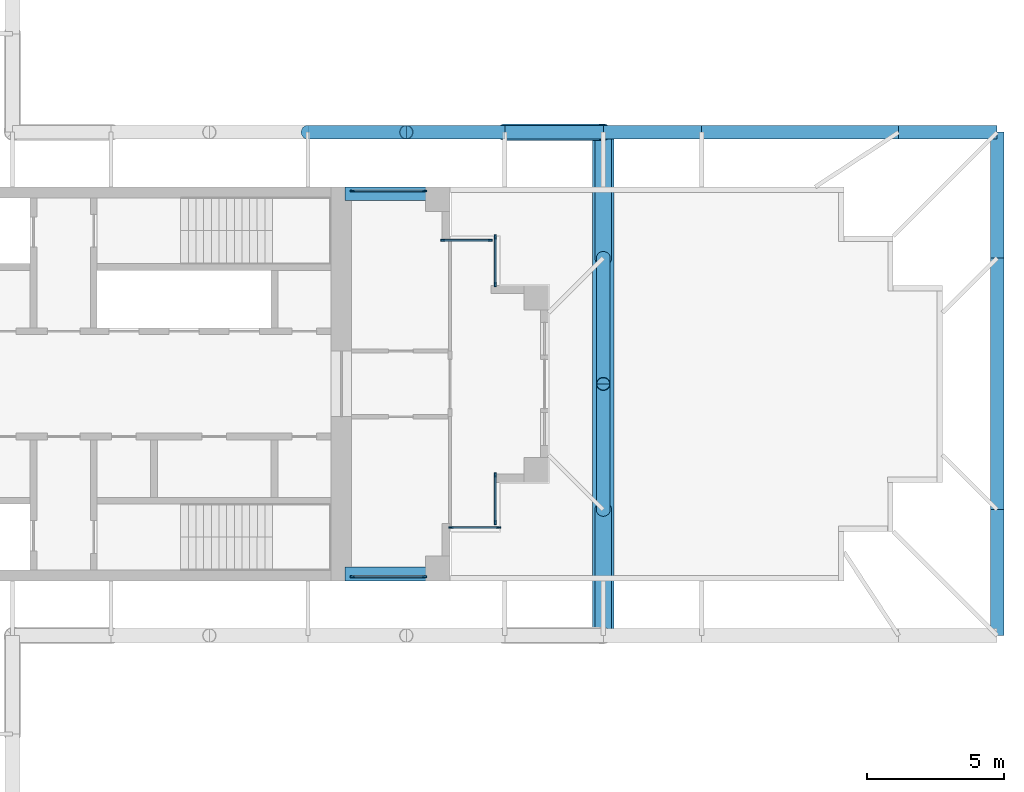
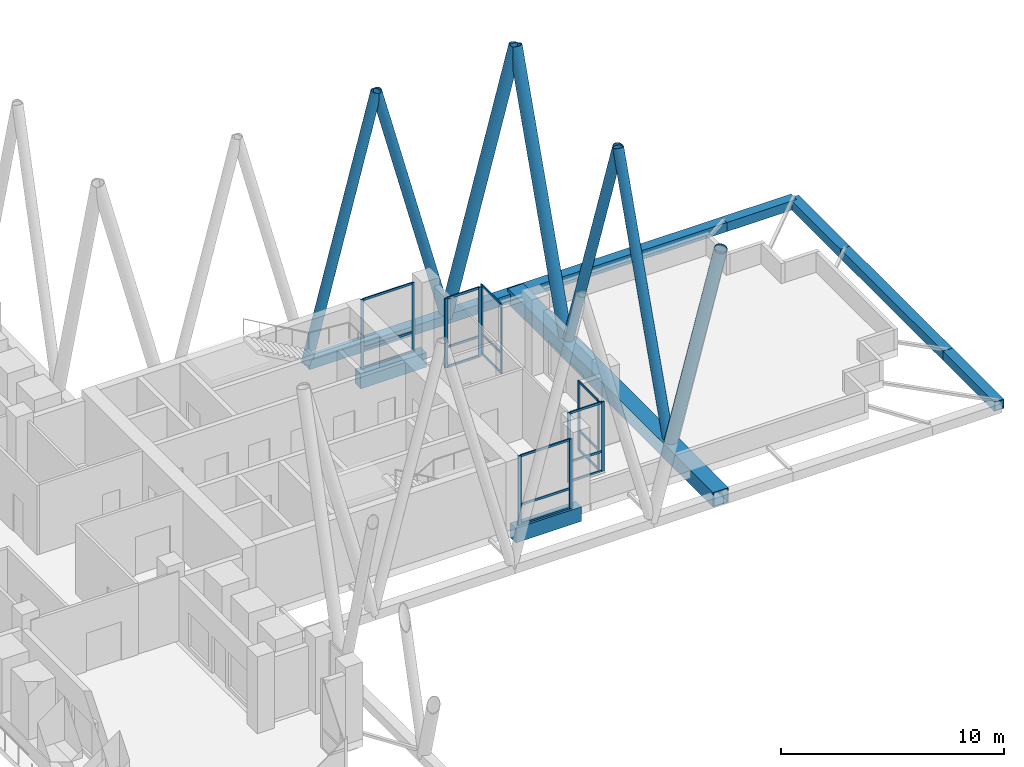
# One storey, part 8 of 19: 46 members, 2 beams, 6 elements without a shape of their own.
"""IFC4 building model written with IfcOpenShell, lengths in metres."""

from ifc_helpers import new_model, si_unit, direction, frame, origin, origin_2d, place, context, subcontext, project, spatial, rectangle, hollow_rectangle, hollow_circle, extrude, material, material_profile, profile_set, type_object, element, aggregate, save


model = new_model("IFC4")

# Units and contexts
model_context = context("Model", 3, precision=1e-05, world=origin(), true_north=direction((0.0, 1.0)))
body_context = subcontext(model_context, "Body", "Model", "MODEL_VIEW")
ifc_project = project(units=[si_unit("LENGTHUNIT", "METRE"), si_unit("AREAUNIT", "SQUARE_METRE"), si_unit("VOLUMEUNIT", "CUBIC_METRE"), si_unit("PLANEANGLEUNIT", "RADIAN"), si_unit("MASSUNIT", "GRAM", prefix="KILO")], contexts=[model_context])

# Site, building, storey
site_placement = place(None, origin())
site = spatial("IfcSite", under=ifc_project, at=site_placement, CompositionType="ELEMENT")
building_placement = place(site_placement, origin())
building = spatial("IfcBuilding", under=site, at=building_placement, Name="Fustian Cross Tower", CompositionType="ELEMENT")
storey_placement = place(building_placement, frame((0.0, 0.0, 166.5)))
storey = spatial("IfcBuildingStorey", under=building, at=storey_placement, Name="L52", CompositionType="ELEMENT", Elevation=166.5)

# Curtain wall, members
ifc_material_1 = material(Name="Dark anodised aluminium and double glazing", Category="aluminium")
curtain_wall_type = type_object("IfcCurtainWallType", Name="CW1 LOUNGE CURTAIN WALL", PredefinedType="NOTDEFINED", material=ifc_material_1)
curtain_wall_1_placement = place(storey_placement, origin())
curtain_wall_1 = element("IfcCurtainWall", 1, at=curtain_wall_1_placement, inside=storey, type_object=curtain_wall_type, Name="Curtain wall", PredefinedType="NOTDEFINED")
ifc_material_2 = material(Name="Aluminium alloy 6063", Category="aluminium")
ifc_material_profile_1 = material_profile(ifc_material_2, rectangle(XDim=0.06005859375, YDim=0.159912109375, at=origin_2d()), Name="CW1 MULLION 60X160")
ifc_profile_set_1 = profile_set([ifc_material_profile_1], Name="Aluminium alloy 6063")
member_type_1 = type_object("IfcMemberType", Name="CW1 MULLION 60X160", PredefinedType="MULLION", material=ifc_profile_set_1)
member_1_placement = place(storey_placement, frame((21.6298828125, -7.050048828125, 0.0), z_axis=(0.0, 0.0, 1.0), x_axis=(0.0, 1.0, 0.0)))
member_1 = element("IfcMember", 2, at=member_1_placement, type_object=member_type_1, Name="CW1 mullion 1", PredefinedType="MULLION", context=body_context, shape_type="SweptSolid", body=[
    extrude(rectangle(XDim=0.06005859375, YDim=0.159912109375, at=origin_2d()), origin(), (0.0, 0.0, 1.0), 3.800048828125),
])
member_2_placement = place(storey_placement, frame((24.27001953125, -7.050048828125, 0.0), z_axis=(0.0, 0.0, 1.0), x_axis=(0.0, 1.0, 0.0)))
member_2 = element("IfcMember", 3, at=member_2_placement, type_object=member_type_1, Name="CW1 mullion 2", PredefinedType="MULLION", context=body_context, shape_type="SweptSolid", body=[
    extrude(rectangle(XDim=0.06005859375, YDim=0.159912109375, at=origin_2d()), origin(), (0.0, 0.0, 1.0), 3.800048828125),
])

curtain_wall_2_placement = place(storey_placement, origin())
curtain_wall_2 = element("IfcCurtainWall", 4, at=curtain_wall_2_placement, inside=storey, type_object=curtain_wall_type, Name="Curtain wall", PredefinedType="NOTDEFINED")
member_3_placement = place(storey_placement, frame((25.22998046875, -5.25, 0.0), z_axis=(0.0, 0.0, 1.0), x_axis=(0.0, 1.0, 0.0)))
member_3 = element("IfcMember", 5, at=member_3_placement, type_object=member_type_1, Name="CW1 mullion 1", PredefinedType="MULLION", context=body_context, shape_type="SweptSolid", body=[
    extrude(rectangle(XDim=0.06005859375, YDim=0.159912109375, at=origin_2d()), origin(), (0.0, 0.0, 1.0), 3.800048828125),
])
member_4_placement = place(storey_placement, frame((26.969970703125, -5.25, 0.0), z_axis=(0.0, 0.0, 1.0), x_axis=(0.0, 1.0, 0.0)))
member_4 = element("IfcMember", 6, at=member_4_placement, type_object=member_type_1, Name="CW1 mullion 2", PredefinedType="MULLION", context=body_context, shape_type="SweptSolid", body=[
    extrude(rectangle(XDim=0.06005859375, YDim=0.159912109375, at=origin_2d()), origin(), (0.0, 0.0, 1.0), 3.800048828125),
])

curtain_wall_3_placement = place(storey_placement, origin())
curtain_wall_3 = element("IfcCurtainWall", 7, at=curtain_wall_3_placement, inside=storey, type_object=curtain_wall_type, Name="Curtain wall", PredefinedType="NOTDEFINED")
member_5_placement = place(storey_placement, frame((26.85009765625, -5.070068359375, 0.0), z_axis=(0.0, 0.0, 1.0), x_axis=(-1.0, 0.0, 0.0)))
member_5 = element("IfcMember", 8, at=member_5_placement, type_object=member_type_1, Name="CW1 mullion 1", PredefinedType="MULLION", context=body_context, shape_type="SweptSolid", body=[
    extrude(rectangle(XDim=0.06005859375, YDim=0.159912109375, at=origin_2d()), origin(), (0.0, 0.0, 1.0), 3.800048828125),
])
member_6_placement = place(storey_placement, frame((26.85009765625, -3.330078125, 0.0), z_axis=(0.0, 0.0, 1.0), x_axis=(-1.0, 0.0, 0.0)))
member_6 = element("IfcMember", 9, at=member_6_placement, type_object=member_type_1, Name="CW1 mullion 2", PredefinedType="MULLION", context=body_context, shape_type="SweptSolid", body=[
    extrude(rectangle(XDim=0.06005859375, YDim=0.159912109375, at=origin_2d()), origin(), (0.0, 0.0, 1.0), 3.800048828125),
])

curtain_wall_4_placement = place(storey_placement, origin())
curtain_wall_4 = element("IfcCurtainWall", 10, at=curtain_wall_4_placement, inside=storey, type_object=curtain_wall_type, Name="Curtain wall", PredefinedType="NOTDEFINED")
member_7_placement = place(storey_placement, frame((26.85009765625, 3.6298828125, 0.0), z_axis=(0.0, 0.0, 1.0), x_axis=(-1.0, 0.0, 0.0)))
member_7 = element("IfcMember", 11, at=member_7_placement, type_object=member_type_1, Name="CW1 mullion 1", PredefinedType="MULLION", context=body_context, shape_type="SweptSolid", body=[
    extrude(rectangle(XDim=0.06005859375, YDim=0.159912109375, at=origin_2d()), origin(), (0.0, 0.0, 1.0), 3.800048828125),
])
member_8_placement = place(storey_placement, frame((26.85009765625, 5.3701171875, 0.0), z_axis=(0.0, 0.0, 1.0), x_axis=(-1.0, 0.0, 0.0)))
member_8 = element("IfcMember", 12, at=member_8_placement, type_object=member_type_1, Name="CW1 mullion 2", PredefinedType="MULLION", context=body_context, shape_type="SweptSolid", body=[
    extrude(rectangle(XDim=0.06005859375, YDim=0.159912109375, at=origin_2d()), origin(), (0.0, 0.0, 1.0), 3.800048828125),
])

curtain_wall_5_placement = place(storey_placement, origin())
curtain_wall_5 = element("IfcCurtainWall", 13, at=curtain_wall_5_placement, inside=storey, type_object=curtain_wall_type, Name="Curtain wall", PredefinedType="NOTDEFINED")
member_9_placement = place(storey_placement, frame((26.669921875, 5.25, 0.0), z_axis=(0.0, 0.0, 1.0), x_axis=(0.0, -1.0, 0.0)))
member_9 = element("IfcMember", 14, at=member_9_placement, type_object=member_type_1, Name="CW1 mullion 1", PredefinedType="MULLION", context=body_context, shape_type="SweptSolid", body=[
    extrude(rectangle(XDim=0.06005859375, YDim=0.159912109375, at=origin_2d()), origin(), (0.0, 0.0, 1.0), 3.800048828125),
])
member_10_placement = place(storey_placement, frame((24.929931640625, 5.25, 0.0), z_axis=(0.0, 0.0, 1.0), x_axis=(0.0, -1.0, 0.0)))
member_10 = element("IfcMember", 15, at=member_10_placement, type_object=member_type_1, Name="CW1 mullion 2", PredefinedType="MULLION", context=body_context, shape_type="SweptSolid", body=[
    extrude(rectangle(XDim=0.06005859375, YDim=0.159912109375, at=origin_2d()), origin(), (0.0, 0.0, 1.0), 3.800048828125),
])

curtain_wall_6_placement = place(storey_placement, origin())
curtain_wall_6 = element("IfcCurtainWall", 16, at=curtain_wall_6_placement, inside=storey, type_object=curtain_wall_type, Name="Curtain wall", PredefinedType="NOTDEFINED")
member_11_placement = place(storey_placement, frame((24.27001953125, 7.050048828125, 0.0), z_axis=(0.0, 0.0, 1.0), x_axis=(0.0, -1.0, 0.0)))
member_11 = element("IfcMember", 17, at=member_11_placement, type_object=member_type_1, Name="CW1 mullion 1", PredefinedType="MULLION", context=body_context, shape_type="SweptSolid", body=[
    extrude(rectangle(XDim=0.06005859375, YDim=0.159912109375, at=origin_2d()), origin(), (0.0, 0.0, 1.0), 3.800048828125),
])
member_12_placement = place(storey_placement, frame((21.6298828125, 7.050048828125, 0.0), z_axis=(0.0, 0.0, 1.0), x_axis=(0.0, -1.0, 0.0)))
member_12 = element("IfcMember", 18, at=member_12_placement, type_object=member_type_1, Name="CW1 mullion 2", PredefinedType="MULLION", context=body_context, shape_type="SweptSolid", body=[
    extrude(rectangle(XDim=0.06005859375, YDim=0.159912109375, at=origin_2d()), origin(), (0.0, 0.0, 1.0), 3.800048828125),
])

# Member
ifc_material_3 = material(Name="Aluminium alloy 6063", Category="aluminium")
ifc_material_profile_2 = material_profile(ifc_material_3, rectangle(XDim=0.06005859375, YDim=0.1201171875, at=origin_2d()), Name="CW1 TRANSOM 60X120")
ifc_profile_set_2 = profile_set([ifc_material_profile_2], Name="Aluminium alloy 6063")
member_type_2 = type_object("IfcMemberType", Name="CW1 TRANSOM 60X120", PredefinedType="USERDEFINED", material=ifc_profile_set_2)
member_13_placement = place(storey_placement, frame((21.659912109375, -7.050048828125, 0.030029296875), z_axis=(1.0, 0.0, 0.0), x_axis=(0.0, 1.0, 0.0)))
member_13 = element("IfcMember", 19, at=member_13_placement, type_object=member_type_2, Name="CW1 transom 1.1", ObjectType="TRANSOM", PredefinedType="USERDEFINED", context=body_context, shape_type="SweptSolid", body=[
    extrude(rectangle(XDim=0.06005859375, YDim=0.1201171875, at=origin_2d()), origin(), (0.0, 0.0, 1.0), 2.580078125),
])

member_14_placement = place(storey_placement, frame((21.659912109375, -7.050048828125, 1.10009765625), z_axis=(1.0, 0.0, 0.0), x_axis=(0.0, 1.0, 0.0)))
member_14 = element("IfcMember", 20, at=member_14_placement, type_object=member_type_2, Name="CW1 transom 1.2", ObjectType="TRANSOM", PredefinedType="USERDEFINED", context=body_context, shape_type="SweptSolid", body=[
    extrude(rectangle(XDim=0.06005859375, YDim=0.1201171875, at=origin_2d()), origin(), (0.0, 0.0, 1.0), 2.580078125),
])

member_15_placement = place(storey_placement, frame((21.659912109375, -7.050048828125, 3.77001953125), z_axis=(1.0, 0.0, 0.0), x_axis=(0.0, 1.0, 0.0)))
member_15 = element("IfcMember", 21, at=member_15_placement, type_object=member_type_2, Name="CW1 transom 1.3", ObjectType="TRANSOM", PredefinedType="USERDEFINED", context=body_context, shape_type="SweptSolid", body=[
    extrude(rectangle(XDim=0.06005859375, YDim=0.1201171875, at=origin_2d()), origin(), (0.0, 0.0, 1.0), 2.580078125),
])

aggregate(curtain_wall_1, [member_1, member_2, member_13, member_14, member_15])

member_16_placement = place(storey_placement, frame((25.260009765625, -5.25, 0.030029296875), z_axis=(1.0, 0.0, 0.0), x_axis=(0.0, 1.0, 0.0)))
member_16 = element("IfcMember", 22, at=member_16_placement, type_object=member_type_2, Name="CW1 transom 1.1", ObjectType="TRANSOM", PredefinedType="USERDEFINED", context=body_context, shape_type="SweptSolid", body=[
    extrude(rectangle(XDim=0.06005859375, YDim=0.1201171875, at=origin_2d()), origin(), (0.0, 0.0, 1.0), 1.679931640625),
])

member_17_placement = place(storey_placement, frame((25.260009765625, -5.25, 1.10009765625), z_axis=(1.0, 0.0, 0.0), x_axis=(0.0, 1.0, 0.0)))
member_17 = element("IfcMember", 23, at=member_17_placement, type_object=member_type_2, Name="CW1 transom 1.2", ObjectType="TRANSOM", PredefinedType="USERDEFINED", context=body_context, shape_type="SweptSolid", body=[
    extrude(rectangle(XDim=0.06005859375, YDim=0.1201171875, at=origin_2d()), origin(), (0.0, 0.0, 1.0), 1.679931640625),
])

member_18_placement = place(storey_placement, frame((25.260009765625, -5.25, 3.77001953125), z_axis=(1.0, 0.0, 0.0), x_axis=(0.0, 1.0, 0.0)))
member_18 = element("IfcMember", 24, at=member_18_placement, type_object=member_type_2, Name="CW1 transom 1.3", ObjectType="TRANSOM", PredefinedType="USERDEFINED", context=body_context, shape_type="SweptSolid", body=[
    extrude(rectangle(XDim=0.06005859375, YDim=0.1201171875, at=origin_2d()), origin(), (0.0, 0.0, 1.0), 1.679931640625),
])

aggregate(curtain_wall_2, [member_3, member_4, member_16, member_17, member_18])

member_19_placement = place(storey_placement, frame((26.85009765625, -5.0400390625, 0.030029296875), z_axis=(0.0, 1.0, 0.0), x_axis=(-1.0, 0.0, 0.0)))
member_19 = element("IfcMember", 25, at=member_19_placement, type_object=member_type_2, Name="CW1 transom 1.1", ObjectType="TRANSOM", PredefinedType="USERDEFINED", context=body_context, shape_type="SweptSolid", body=[
    extrude(rectangle(XDim=0.06005859375, YDim=0.1201171875, at=origin_2d()), origin(), (0.0, 0.0, 1.0), 1.679931640625),
])

member_20_placement = place(storey_placement, frame((26.85009765625, -5.0400390625, 1.10009765625), z_axis=(0.0, 1.0, 0.0), x_axis=(-1.0, 0.0, 0.0)))
member_20 = element("IfcMember", 26, at=member_20_placement, type_object=member_type_2, Name="CW1 transom 1.2", ObjectType="TRANSOM", PredefinedType="USERDEFINED", context=body_context, shape_type="SweptSolid", body=[
    extrude(rectangle(XDim=0.06005859375, YDim=0.1201171875, at=origin_2d()), origin(), (0.0, 0.0, 1.0), 1.679931640625),
])

member_21_placement = place(storey_placement, frame((26.85009765625, -5.0400390625, 3.77001953125), z_axis=(0.0, 1.0, 0.0), x_axis=(-1.0, 0.0, 0.0)))
member_21 = element("IfcMember", 27, at=member_21_placement, type_object=member_type_2, Name="CW1 transom 1.3", ObjectType="TRANSOM", PredefinedType="USERDEFINED", context=body_context, shape_type="SweptSolid", body=[
    extrude(rectangle(XDim=0.06005859375, YDim=0.1201171875, at=origin_2d()), origin(), (0.0, 0.0, 1.0), 1.679931640625),
])

aggregate(curtain_wall_3, [member_5, member_6, member_19, member_20, member_21])

member_22_placement = place(storey_placement, frame((26.85009765625, 3.659912109375, 0.030029296875), z_axis=(0.0, 1.0, 0.0), x_axis=(-1.0, 0.0, 0.0)))
member_22 = element("IfcMember", 28, at=member_22_placement, type_object=member_type_2, Name="CW1 transom 1.1", ObjectType="TRANSOM", PredefinedType="USERDEFINED", context=body_context, shape_type="SweptSolid", body=[
    extrude(rectangle(XDim=0.06005859375, YDim=0.1201171875, at=origin_2d()), origin(), (0.0, 0.0, 1.0), 1.68017578125),
])

member_23_placement = place(storey_placement, frame((26.85009765625, 3.659912109375, 1.10009765625), z_axis=(0.0, 1.0, 0.0), x_axis=(-1.0, 0.0, 0.0)))
member_23 = element("IfcMember", 29, at=member_23_placement, type_object=member_type_2, Name="CW1 transom 1.2", ObjectType="TRANSOM", PredefinedType="USERDEFINED", context=body_context, shape_type="SweptSolid", body=[
    extrude(rectangle(XDim=0.06005859375, YDim=0.1201171875, at=origin_2d()), origin(), (0.0, 0.0, 1.0), 1.68017578125),
])

member_24_placement = place(storey_placement, frame((26.85009765625, 3.659912109375, 3.77001953125), z_axis=(0.0, 1.0, 0.0), x_axis=(-1.0, 0.0, 0.0)))
member_24 = element("IfcMember", 30, at=member_24_placement, type_object=member_type_2, Name="CW1 transom 1.3", ObjectType="TRANSOM", PredefinedType="USERDEFINED", context=body_context, shape_type="SweptSolid", body=[
    extrude(rectangle(XDim=0.06005859375, YDim=0.1201171875, at=origin_2d()), origin(), (0.0, 0.0, 1.0), 1.68017578125),
])

aggregate(curtain_wall_4, [member_7, member_8, member_22, member_23, member_24])

member_25_placement = place(storey_placement, frame((26.639892578125, 5.25, 0.030029296875), z_axis=(-1.0, 0.0, 0.0), x_axis=(0.0, -1.0, 0.0)))
member_25 = element("IfcMember", 31, at=member_25_placement, type_object=member_type_2, Name="CW1 transom 1.1", ObjectType="TRANSOM", PredefinedType="USERDEFINED", context=body_context, shape_type="SweptSolid", body=[
    extrude(rectangle(XDim=0.06005859375, YDim=0.1201171875, at=origin_2d()), origin(), (0.0, 0.0, 1.0), 1.679931640625),
])

member_26_placement = place(storey_placement, frame((26.639892578125, 5.25, 1.10009765625), z_axis=(-1.0, 0.0, 0.0), x_axis=(0.0, -1.0, 0.0)))
member_26 = element("IfcMember", 32, at=member_26_placement, type_object=member_type_2, Name="CW1 transom 1.2", ObjectType="TRANSOM", PredefinedType="USERDEFINED", context=body_context, shape_type="SweptSolid", body=[
    extrude(rectangle(XDim=0.06005859375, YDim=0.1201171875, at=origin_2d()), origin(), (0.0, 0.0, 1.0), 1.679931640625),
])

member_27_placement = place(storey_placement, frame((26.639892578125, 5.25, 3.77001953125), z_axis=(-1.0, 0.0, 0.0), x_axis=(0.0, -1.0, 0.0)))
member_27 = element("IfcMember", 33, at=member_27_placement, type_object=member_type_2, Name="CW1 transom 1.3", ObjectType="TRANSOM", PredefinedType="USERDEFINED", context=body_context, shape_type="SweptSolid", body=[
    extrude(rectangle(XDim=0.06005859375, YDim=0.1201171875, at=origin_2d()), origin(), (0.0, 0.0, 1.0), 1.679931640625),
])

aggregate(curtain_wall_5, [member_9, member_10, member_25, member_26, member_27])

member_28_placement = place(storey_placement, frame((24.239990234375, 7.050048828125, 0.030029296875), z_axis=(-1.0, 0.0, 0.0), x_axis=(0.0, -1.0, 0.0)))
member_28 = element("IfcMember", 34, at=member_28_placement, type_object=member_type_2, Name="CW1 transom 1.1", ObjectType="TRANSOM", PredefinedType="USERDEFINED", context=body_context, shape_type="SweptSolid", body=[
    extrude(rectangle(XDim=0.06005859375, YDim=0.1201171875, at=origin_2d()), origin(), (0.0, 0.0, 1.0), 2.580078125),
])

member_29_placement = place(storey_placement, frame((24.239990234375, 7.050048828125, 1.10009765625), z_axis=(-1.0, 0.0, 0.0), x_axis=(0.0, -1.0, 0.0)))
member_29 = element("IfcMember", 35, at=member_29_placement, type_object=member_type_2, Name="CW1 transom 1.2", ObjectType="TRANSOM", PredefinedType="USERDEFINED", context=body_context, shape_type="SweptSolid", body=[
    extrude(rectangle(XDim=0.06005859375, YDim=0.1201171875, at=origin_2d()), origin(), (0.0, 0.0, 1.0), 2.580078125),
])

member_30_placement = place(storey_placement, frame((24.239990234375, 7.050048828125, 3.77001953125), z_axis=(-1.0, 0.0, 0.0), x_axis=(0.0, -1.0, 0.0)))
member_30 = element("IfcMember", 36, at=member_30_placement, type_object=member_type_2, Name="CW1 transom 1.3", ObjectType="TRANSOM", PredefinedType="USERDEFINED", context=body_context, shape_type="SweptSolid", body=[
    extrude(rectangle(XDim=0.06005859375, YDim=0.1201171875, at=origin_2d()), origin(), (0.0, 0.0, 1.0), 2.580078125),
])

aggregate(curtain_wall_6, [member_11, member_12, member_28, member_29, member_30])

# Members
ifc_material_4 = material(Name="Steel S355", Category="steel")
ifc_material_profile_3 = material_profile(ifc_material_4, hollow_circle(Radius=0.25390625, WallThickness=0.02001953125, at=origin_2d()), Name="CHS 508x20")
ifc_profile_set_3 = profile_set([ifc_material_profile_3], Name="Steel S355")
member_type_3 = type_object("IfcMemberType", Name="DIAGRID DIAGONAL CHS 508x20", PredefinedType="BRACE", material=ifc_profile_set_3)
for number, where, z_axis, x_axis, name in (
    (37, (30.800048828125, -4.60009765625, -0.39990234375), (0.0, 0.320413079221, 0.947277920498), (-1.0, 0.0, 0.0), "Diagrid diagonal E-end 02"),
    (38, (30.800048828125, 4.60009765625, -0.39990234375), (0.0, -0.320413079221, 0.947277920498), (1.0, 0.0, 0.0), "Diagrid diagonal E-end 03"),
):
    element("IfcMember", number, at=place(storey_placement, frame(where, z_axis=z_axis, x_axis=x_axis)), inside=storey, type_object=member_type_3, Name=name, PredefinedType="BRACE", context=body_context, shape_type="SweptSolid", body=[
        extrude(hollow_circle(Radius=0.25390625, WallThickness=0.02001953125, at=origin_2d()), origin(), (0.0, 0.0, 1.0), 14.356689453125),
    ])
member_31_placement = place(storey_placement, frame((27.199951171875, 9.199951171875, -0.39990234375), z_axis=(-0.255885405448, 0.0, 0.966707121769), x_axis=(0.0, -1.0, 0.0)))
element("IfcMember", 39, at=member_31_placement, inside=storey, type_object=member_type_3, Name="Diagrid diagonal E-N 02", PredefinedType="BRACE", context=body_context, shape_type="SweptSolid", body=[
    extrude(hollow_circle(Radius=0.25390625, WallThickness=0.02001953125, at=origin_2d()), origin(), (0.0, 0.0, 1.0), 14.068115234375),
])
member_32_placement = place(storey_placement, frame((20.0, 9.199951171875, -0.39990234375), z_axis=(0.255901623089, 0.0, 0.966702828847), x_axis=(0.0, 1.0, 0.0)))
element("IfcMember", 40, at=member_32_placement, inside=storey, type_object=member_type_3, Name="Diagrid diagonal E-N 03", PredefinedType="BRACE", context=body_context, shape_type="SweptSolid", body=[
    extrude(hollow_circle(Radius=0.25390625, WallThickness=0.02001953125, at=origin_2d()), origin(), (0.0, 0.0, 1.0), 14.068359375),
])
ifc_material_5 = material(Name="Steel S355", Category="steel")
ifc_material_profile_4 = material_profile(ifc_material_5, hollow_circle(Radius=0.3046875, WallThickness=0.02490234375, at=origin_2d()), Name="CHS 610x25")
ifc_profile_set_4 = profile_set([ifc_material_profile_4], Name="Steel S355")
member_type_4 = type_object("IfcMemberType", Name="DIAGRID DIAGONAL CHS 610x25", PredefinedType="BRACE", material=ifc_profile_set_4)
for number, where, z_axis, x_axis, name in (
    (41, (30.800048828125, -4.60009765625, -0.39990234375), (0.0, -0.320397819675, 0.947283081844), (1.0, 0.0, 0.0), "Diagrid diagonal E-end 01"),
    (42, (30.800048828125, 4.60009765625, -0.39990234375), (0.0, 0.320397819675, 0.947283081844), (-1.0, 0.0, 0.0), "Diagrid diagonal E-end 04"),
):
    element("IfcMember", number, at=place(storey_placement, frame(where, z_axis=z_axis, x_axis=x_axis)), inside=storey, type_object=member_type_4, Name=name, PredefinedType="BRACE", context=body_context, shape_type="SweptSolid", body=[
        extrude(hollow_circle(Radius=0.3046875, WallThickness=0.02490234375, at=origin_2d()), origin(), (0.0, 0.0, 1.0), 14.356689453125),
    ])
member_33_placement = place(storey_placement, frame((27.199951171875, 9.199951171875, -0.39990234375), z_axis=(0.255901623089, 0.0, 0.966702828847), x_axis=(0.0, 1.0, 0.0)))
element("IfcMember", 43, at=member_33_placement, inside=storey, type_object=member_type_4, Name="Diagrid diagonal E-N 01", PredefinedType="BRACE", context=body_context, shape_type="SweptSolid", body=[
    extrude(hollow_circle(Radius=0.3046875, WallThickness=0.02490234375, at=origin_2d()), origin(), (0.0, 0.0, 1.0), 14.068359375),
])
ifc_material_6 = material(Name="Steel S355", Category="steel")
ifc_material_profile_5 = material_profile(ifc_material_6, hollow_rectangle(XDim=0.5, YDim=0.5, WallThickness=0.02490234375, at=origin_2d()), Name="RHS 500x500x25")
ifc_profile_set_5 = profile_set([ifc_material_profile_5], Name="Steel S355")
member_type_5 = type_object("IfcMemberType", Name="DIAGRID RING RHS 500x500x25", PredefinedType="MEMBER", material=ifc_profile_set_5)
member_34_placement = place(storey_placement, frame((45.199951171875, -4.60009765625, -0.39990234375), z_axis=(0.0, 1.0, 0.0), x_axis=(-1.0, 0.0, 0.0)))
element("IfcMember", 44, at=member_34_placement, inside=storey, type_object=member_type_5, Name="Diagrid ring L52-53 L52-01", PredefinedType="MEMBER", context=body_context, shape_type="SweptSolid", body=[
    extrude(hollow_rectangle(XDim=0.5, YDim=0.5, WallThickness=0.02490234375, at=origin_2d()), origin(), (0.0, 0.0, 1.0), 9.2001953125),
])
member_35_placement = place(storey_placement, frame((45.199951171875, 4.60009765625, -0.39990234375), z_axis=(0.0, 1.0, 0.0), x_axis=(-1.0, 0.0, 0.0)))
element("IfcMember", 45, at=member_35_placement, inside=storey, type_object=member_type_5, Name="Diagrid ring L52-01 L52-03", PredefinedType="MEMBER", context=body_context, shape_type="SweptSolid", body=[
    extrude(hollow_rectangle(XDim=0.5, YDim=0.5, WallThickness=0.02490234375, at=origin_2d()), origin(), (0.0, 0.0, 1.0), 4.599853515625),
])
member_36_placement = place(storey_placement, frame((45.199951171875, 9.199951171875, -0.39990234375), z_axis=(-1.0, 0.0, 0.0), x_axis=(0.0, -1.0, 0.0)))
element("IfcMember", 46, at=member_36_placement, inside=storey, type_object=member_type_5, Name="Diagrid ring L52-03 L52-04", PredefinedType="MEMBER", context=body_context, shape_type="SweptSolid", body=[
    extrude(hollow_rectangle(XDim=0.5, YDim=0.5, WallThickness=0.02490234375, at=origin_2d()), origin(), (0.0, 0.0, 1.0), 3.599853515625),
])
member_37_placement = place(storey_placement, frame((41.60009765625, 9.199951171875, -0.39990234375), z_axis=(-1.0, 0.0, 0.0), x_axis=(0.0, -1.0, 0.0)))
element("IfcMember", 47, at=member_37_placement, inside=storey, type_object=member_type_5, Name="Diagrid ring L52-04 L52-05", PredefinedType="MEMBER", context=body_context, shape_type="SweptSolid", body=[
    extrude(hollow_rectangle(XDim=0.5, YDim=0.5, WallThickness=0.02490234375, at=origin_2d()), origin(), (0.0, 0.0, 1.0), 7.2001953125),
])
member_38_placement = place(storey_placement, frame((34.39990234375, 9.199951171875, -0.39990234375), z_axis=(-1.0, 0.0, 0.0), x_axis=(0.0, -1.0, 0.0)))
element("IfcMember", 48, at=member_38_placement, inside=storey, type_object=member_type_5, Name="Diagrid ring L52-05 L52-06", PredefinedType="MEMBER", context=body_context, shape_type="SweptSolid", body=[
    extrude(hollow_rectangle(XDim=0.5, YDim=0.5, WallThickness=0.02490234375, at=origin_2d()), origin(), (0.0, 0.0, 1.0), 3.599853515625),
])
member_39_placement = place(storey_placement, frame((30.800048828125, 9.199951171875, -0.39990234375), z_axis=(-1.0, 0.0, 0.0), x_axis=(0.0, -1.0, 0.0)))
element("IfcMember", 49, at=member_39_placement, inside=storey, type_object=member_type_5, Name="Diagrid ring L52-06 L52-07", PredefinedType="MEMBER", context=body_context, shape_type="SweptSolid", body=[
    extrude(hollow_rectangle(XDim=0.5, YDim=0.5, WallThickness=0.02490234375, at=origin_2d()), origin(), (0.0, 0.0, 1.0), 3.60009765625),
])
member_40_placement = place(storey_placement, frame((27.199951171875, 9.199951171875, -0.39990234375), z_axis=(-1.0, 0.0, 0.0), x_axis=(0.0, -1.0, 0.0)))
element("IfcMember", 50, at=member_40_placement, inside=storey, type_object=member_type_5, Name="Diagrid ring L52-07 L52-08", PredefinedType="MEMBER", context=body_context, shape_type="SweptSolid", body=[
    extrude(hollow_rectangle(XDim=0.5, YDim=0.5, WallThickness=0.02490234375, at=origin_2d()), origin(), (0.0, 0.0, 1.0), 7.199951171875),
])
member_41_placement = place(storey_placement, frame((45.199951171875, -9.199951171875, -0.39990234375), z_axis=(0.0, 1.0, 0.0), x_axis=(-1.0, 0.0, 0.0)))
element("IfcMember", 51, at=member_41_placement, inside=storey, type_object=member_type_5, Name="Diagrid ring L52-51 L52-53", PredefinedType="MEMBER", context=body_context, shape_type="SweptSolid", body=[
    extrude(hollow_rectangle(XDim=0.5, YDim=0.5, WallThickness=0.02490234375, at=origin_2d()), origin(), (0.0, 0.0, 1.0), 4.599853515625),
])
ifc_material_7 = material(Name="Steel S355", Category="steel")
ifc_material_profile_6 = material_profile(ifc_material_7, hollow_rectangle(XDim=0.800048828125, YDim=0.800048828125, WallThickness=0.0400390625, at=origin_2d()), Name="RHS 800x800x40")
ifc_profile_set_6 = profile_set([ifc_material_profile_6], Name="Steel S355")
member_type_6 = type_object("IfcMemberType", Name="DIAGRID RING RHS 800x800x40", PredefinedType="MEMBER", material=ifc_profile_set_6)
member_42_placement = place(storey_placement, frame((30.800048828125, -9.199951171875, -0.39990234375), z_axis=(0.0, 1.0, 0.0), x_axis=(-1.0, 0.0, 0.0)))
element("IfcMember", 52, at=member_42_placement, inside=storey, type_object=member_type_6, Name="Diagrid ring L52-48 L52-06", PredefinedType="MEMBER", context=body_context, shape_type="SweptSolid", body=[
    extrude(hollow_rectangle(XDim=0.800048828125, YDim=0.800048828125, WallThickness=0.0400390625, at=origin_2d()), origin(), (0.0, 0.0, 1.0), 18.39990234375),
])

# Beams
ifc_material_8 = material(Name="Concrete C50/60", Category="concrete")
ifc_material_profile_7 = material_profile(ifc_material_8, rectangle(XDim=0.5, YDim=0.800048828125, at=origin_2d()), Name="RC 500x800")
ifc_profile_set_7 = profile_set([ifc_material_profile_7], Name="Concrete C50/60")
beam_type = type_object("IfcBeamType", Name="EDGE BEAM RC 500x800 C50/60", PredefinedType="SPANDREL", material=ifc_profile_set_7)
for number, where, z_axis, x_axis, name in (
    (53, (21.35009765625, -6.949951171875, -0.39990234375), (1.0, 0.0, 0.0), (0.0, 1.0, 0.0), "EDGE BEAM L52-01"),
    (54, (24.75, 6.949951171875, -0.39990234375), (-1.0, 0.0, 0.0), (0.0, -1.0, 0.0), "EDGE BEAM L52-02"),
):
    element("IfcBeam", number, at=place(storey_placement, frame(where, z_axis=z_axis, x_axis=x_axis)), inside=storey, type_object=beam_type, Name=name, PredefinedType="SPANDREL", context=body_context, shape_type="SweptSolid", body=[
        extrude(rectangle(XDim=0.5, YDim=0.800048828125, at=origin_2d()), origin(), (0.0, 0.0, 1.0), 3.39990234375),
    ])

save(model, "model.ifc")
